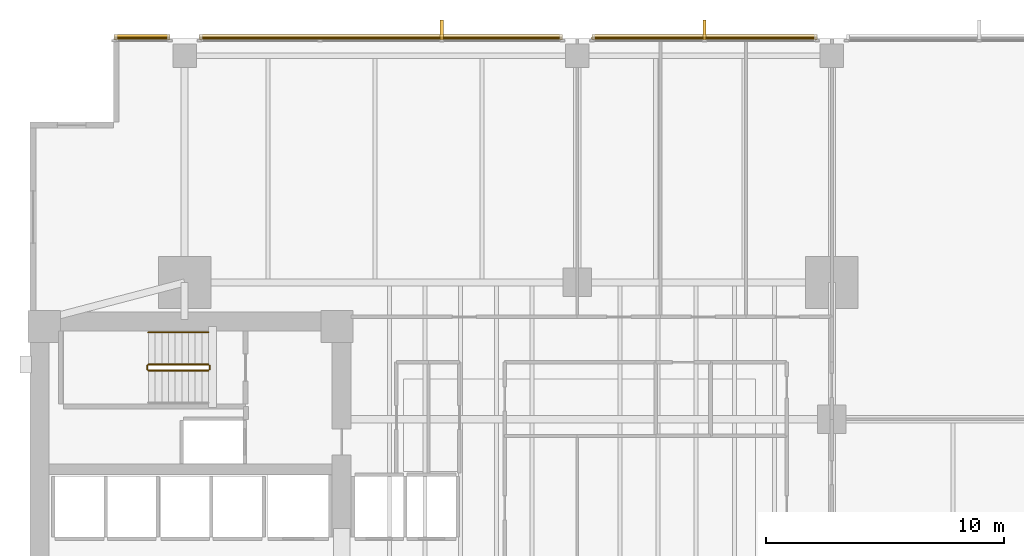
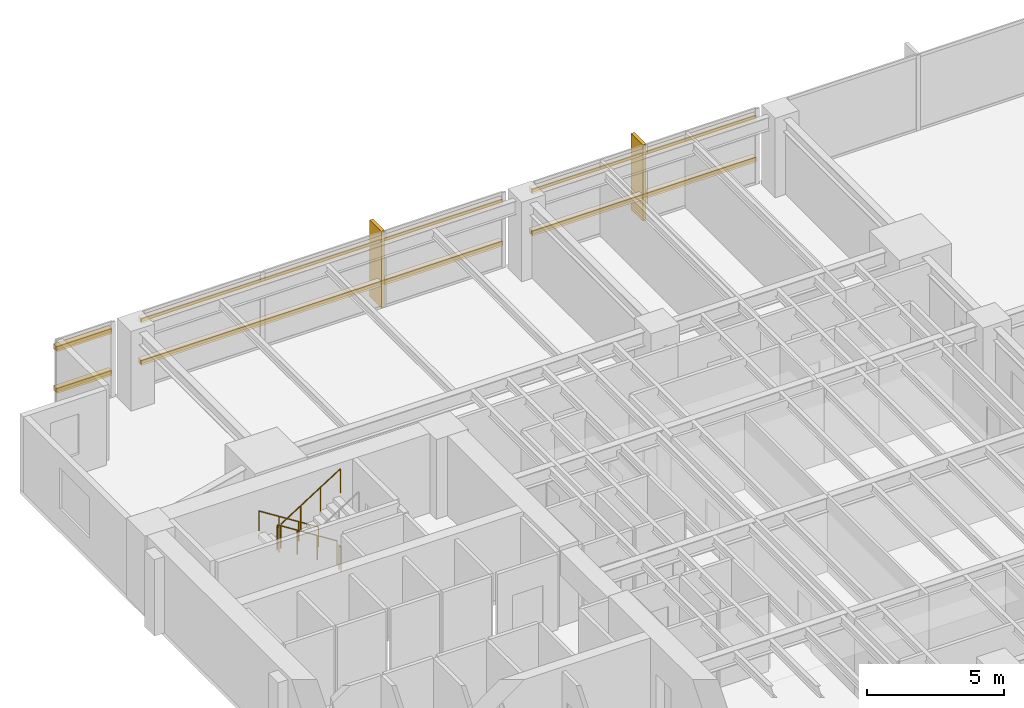
# One storey, part 14 of 15: 8 coverings, 6 shading devices, 5 railings.
"""IFC4 building model written with IfcOpenShell, lengths in metres."""

import ifcopenshell
import ifcopenshell.guid

model = None  # the IFC model being written
_history = None  # IfcOwnerHistory: only IFC2X3 demands one
_inside = {}  # id of a spatial element -> (the spatial element, [elements in it])
_under = {}  # id of a project, library or spatial element -> (it, [spatial elements below it])
_declared = {}  # id of a project -> (the project, [libraries it declares])
_typed = {}  # id of a type object -> (the type object, [elements of that type])
_made_of = {}  # id of a material, layer set ... -> (it, [elements and type objects made of it])


def new_model(schema):
    """Start an empty IFC model of exactly this schema.

    Asked for "IFC4X3", IfcOpenShell would pick the latest addendum, in which some entities
    have other attributes; the version numbers below select the first issue.
    IFC2X3 requires an IfcOwnerHistory on every rooted entity: one is made here for all.
    """
    global model, _history
    if schema == "IFC4X3":
        model = ifcopenshell.file(schema_version=(4, 3, 0, 0))
    else:
        model = ifcopenshell.file(schema=schema)
    _inside.clear()
    _under.clear()
    _declared.clear()
    _typed.clear()
    _made_of.clear()
    _history = None
    if model.schema == "IFC2X3":
        org = make("IfcOrganization", Name="unknown")
        user = make(
            "IfcPersonAndOrganization",
            ThePerson=make("IfcPerson", FamilyName="unknown"),
            TheOrganization=org,
        )
        app = make(
            "IfcApplication",
            ApplicationDeveloper=org,
            Version="unknown",
            ApplicationFullName="unknown",
            ApplicationIdentifier="unknown",
        )
        _history = make(
            "IfcOwnerHistory",
            OwningUser=user,
            OwningApplication=app,
            ChangeAction="ADDED",
            CreationDate=0,
        )
    return model


def make(cls, **values):
    """One entity of the class cls with the attributes given. An attribute that is None is left unset."""
    return model.create_entity(
        cls, **{name: value for name, value in values.items() if value is not None}
    )


def rooted(cls, **values):
    """An entity with a GlobalId (a new one), such as an element, a storey or a relation."""
    return make(cls, GlobalId=ifcopenshell.guid.new(), OwnerHistory=_history, **values)


def si_unit(unit_type, name, prefix=None):
    """IfcSIUnit, for example si_unit("LENGTHUNIT", "METRE", prefix="MILLI")."""
    return make("IfcSIUnit", UnitType=unit_type, Prefix=prefix, Name=name)


def assignment(units):
    """IfcUnitAssignment: the units of a project."""
    return None if units is None else make("IfcUnitAssignment", Units=units)


def point(xyz):
    """IfcCartesianPoint."""
    return None if xyz is None else make("IfcCartesianPoint", Coordinates=xyz)


def direction(xyz):
    """IfcDirection."""
    return None if xyz is None else make("IfcDirection", DirectionRatios=xyz)


def frame(location, z_axis=None, x_axis=None):
    """IfcAxis2Placement3D, a coordinate frame: its origin and axes. An axis left out is left unset."""
    return make(
        "IfcAxis2Placement3D",
        Location=point(location),
        Axis=direction(z_axis),
        RefDirection=direction(x_axis),
    )


def frame_2d(location, x_axis=None):
    """IfcAxis2Placement2D, a coordinate frame in the plane: its origin and x axis."""
    return make(
        "IfcAxis2Placement2D", Location=point(location), RefDirection=direction(x_axis)
    )


def origin():
    """The frame at (0, 0, 0) with its axes left unset."""
    return frame((0.0, 0.0, 0.0))


def origin_2d():
    """The frame at (0, 0) in the plane with its x axis left unset."""
    return frame_2d((0.0, 0.0))


def place(relative_to, where):
    """IfcLocalPlacement: puts the frame where relative to a parent placement (None: the world)."""
    return make(
        "IfcLocalPlacement", PlacementRelTo=relative_to, RelativePlacement=where
    )


def context(
    kind, dimensions, precision=None, world=None, true_north=None, identifier=None
):
    """IfcGeometricRepresentationContext, for example the 3D "Model" context."""
    return make(
        "IfcGeometricRepresentationContext",
        ContextIdentifier=identifier,
        ContextType=kind,
        CoordinateSpaceDimension=dimensions,
        Precision=precision,
        WorldCoordinateSystem=world,
        TrueNorth=true_north,
    )


def subcontext(parent, identifier, kind, view, scale=None):
    """IfcGeometricRepresentationSubContext, for example "Body" below "Model"."""
    return make(
        "IfcGeometricRepresentationSubContext",
        ContextIdentifier=identifier,
        ContextType=kind,
        ParentContext=parent,
        TargetScale=scale,
        TargetView=view,
    )


def project(units=None, contexts=None):
    """IfcProject with its units and contexts."""
    return rooted(
        "IfcProject",
        Name="project",
        RepresentationContexts=contexts,
        UnitsInContext=assignment(units),
    )


def spatial(cls, under=None, at=None, **own):
    """A site, building, storey or space (cls), placed at a placement, below another one or the project."""
    s = rooted(cls, ObjectPlacement=at, **own)
    if under is not None:
        _under.setdefault(under.id(), (under, []))[1].append(s)
    return s


def polyline(points):
    """IfcPolyline through the points."""
    return make("IfcPolyline", Points=[point(p) for p in points])


def profile(cls, at=None, kind="AREA", **sizes):
    """A parametric profile (cls). Its sizes go by their IFC names, for example OverallWidth=200.0."""
    return make(cls, ProfileType=kind, Position=at, **sizes)


def rectangle(**sizes):
    """IfcRectangleProfileDef."""
    return profile("IfcRectangleProfileDef", **sizes)


def circle(**sizes):
    """IfcCircleProfileDef."""
    return profile("IfcCircleProfileDef", **sizes)


def outline(outer, holes=None, kind="AREA"):
    """IfcArbitraryClosedProfileDef: a profile drawn as a closed curve; with holes, ...WithVoids."""
    if holes is None:
        return make("IfcArbitraryClosedProfileDef", ProfileType=kind, OuterCurve=outer)
    return make(
        "IfcArbitraryProfileDefWithVoids",
        ProfileType=kind,
        OuterCurve=outer,
        InnerCurves=holes,
    )


def extrude(swept, where, along, depth):
    """IfcExtrudedAreaSolid: the profile swept, set in the frame where, extruded along a direction by depth."""
    return make(
        "IfcExtrudedAreaSolid",
        SweptArea=swept,
        Position=where,
        ExtrudedDirection=direction(along),
        Depth=depth,
    )


def shape(context_of_items, identifier, shape_type, items):
    """IfcShapeRepresentation: the items that make up one representation, for example the "Body"."""
    return make(
        "IfcShapeRepresentation",
        ContextOfItems=context_of_items,
        RepresentationIdentifier=identifier,
        RepresentationType=shape_type,
        Items=items,
    )


def material(Name=None, Category=None):
    """IfcMaterial."""
    return make("IfcMaterial", Name=Name, Category=Category)


def layer(
    of_material, thickness, ventilated=None, Name=None, Category=None, Priority=None
):
    """IfcMaterialLayer: one layer of a wall or slab, of a material (None: an air gap)."""
    return make(
        "IfcMaterialLayer",
        Material=of_material,
        LayerThickness=thickness,
        IsVentilated=ventilated,
        Name=Name,
        Category=Category,
        Priority=Priority,
    )


def layer_set(layers, Name=None):
    """IfcMaterialLayerSet."""
    return make("IfcMaterialLayerSet", MaterialLayers=layers, LayerSetName=Name)


def material_profile(
    of_material, cross_section, Name=None, Category=None, Priority=None
):
    """IfcMaterialProfile: a cross section and its material."""
    return make(
        "IfcMaterialProfile",
        Name=Name,
        Material=of_material,
        Profile=cross_section,
        Priority=Priority,
        Category=Category,
    )


def profile_set(profiles, Name=None, composite=None):
    """IfcMaterialProfileSet."""
    return make(
        "IfcMaterialProfileSet",
        Name=Name,
        MaterialProfiles=profiles,
        CompositeProfile=composite,
    )


def made_of(thing, what):
    """Note that an element or type object is made of a material, layer set ...; save() writes the relation."""
    if what is not None:
        _made_of.setdefault(what.id(), (what, []))[1].append(thing)
    return thing


def type_object(cls, material=None, **own):
    """A type object (cls), such as IfcWallType, which elements share."""
    return made_of(rooted(cls, **own), material)


def element(
    cls,
    number,
    at=None,
    inside=None,
    cuts=None,
    type_object=None,
    material=None,
    context=None,
    identifier="Body",
    shape_type=None,
    held_by="IfcProductDefinitionShape",
    body=None,
    shapes=None,
    **own,
):
    """One element of the class cls, such as IfcWall. Its Tag is "e" and its number.

    at: its placement. inside: the storey or other place that contains it. cuts: it is an
    opening in that element (IfcRelVoidsElement). A single representation is given by context,
    identifier, shape_type and body (its items); several are given by shapes. held_by: the class
    of the entity that holds the representations. save() writes the other relations.
    """
    e = rooted(cls, Tag="e%d" % number, ObjectPlacement=at, **own)
    if body is not None:
        shapes = [shape(context, identifier, shape_type, body)]
    if shapes is not None:
        e.Representation = make(held_by, Representations=shapes)
    if inside is not None:
        _inside.setdefault(inside.id(), (inside, []))[1].append(e)
    if cuts is not None:
        rooted(
            "IfcRelVoidsElement", RelatingBuildingElement=cuts, RelatedOpeningElement=e
        )
    if type_object is not None:
        _typed.setdefault(type_object.id(), (type_object, []))[1].append(e)
    return made_of(e, material)


def aggregate(whole, parts):
    """IfcRelAggregates: a whole, such as a stair, and the parts it consists of."""
    return rooted("IfcRelAggregates", RelatingObject=whole, RelatedObjects=parts)


def save(model, path):
    """Write the relations noted so far, then the file.

    IfcRelAggregates (storeys below a building ...), IfcRelContainedInSpatialStructure (elements
    in a storey), IfcRelDefinesByType, IfcRelAssociatesMaterial and IfcRelDeclares: one each for
    every whole, place, type object, material and project.
    """
    for whole, parts in _under.values():
        aggregate(whole, parts)
    for where, things in _inside.values():
        rooted(
            "IfcRelContainedInSpatialStructure",
            RelatedElements=things,
            RelatingStructure=where,
        )
    for kind, things in _typed.values():
        rooted("IfcRelDefinesByType", RelatedObjects=things, RelatingType=kind)
    for what, things in _made_of.values():
        rooted("IfcRelAssociatesMaterial", RelatedObjects=things, RelatingMaterial=what)
    for by, libraries in _declared.values():
        rooted("IfcRelDeclares", RelatingContext=by, RelatedDefinitions=libraries)
    model.write(path)


model = new_model("IFC4")

# Units and contexts
model_context = context("Model", 3, precision=1e-05, world=origin(), true_north=direction((0.0, 1.0)))
body_context = subcontext(model_context, "Body", "Model", "MODEL_VIEW")
ifc_project = project(units=[si_unit("LENGTHUNIT", "METRE"), si_unit("AREAUNIT", "SQUARE_METRE"), si_unit("VOLUMEUNIT", "CUBIC_METRE"), si_unit("PLANEANGLEUNIT", "RADIAN"), si_unit("MASSUNIT", "GRAM", prefix="KILO")], contexts=[model_context])

# Site, building, storey
site_placement = place(None, origin())
site = spatial("IfcSite", under=ifc_project, at=site_placement, CompositionType="ELEMENT")
building_placement = place(site_placement, origin())
building = spatial("IfcBuilding", under=site, at=building_placement, Name="Kinhvarn Gate Tower", CompositionType="ELEMENT")
storey_placement = place(building_placement, frame((0.0, 0.0, 78.85009765625)))
storey = spatial("IfcBuildingStorey", under=building, at=storey_placement, Name="L20", CompositionType="ELEMENT", Elevation=78.85009765625)

# Coverings
ifc_material_1 = material(Name="Fired architectural terracotta", Category="masonry")
ifc_layer_1 = layer(ifc_material_1, 0.239990234375)
ifc_layer_set_1 = layer_set([ifc_layer_1], Name="Fired architectural terracotta")
covering_type_1 = type_object("IfcCoveringType", Name="COV-BAG-220", PredefinedType="CLADDING", material=ifc_layer_set_1)
for number, where, name in (
    (1, (0.0, 0.0, 0.93994140625), "Terracotta Horizontal Sunscreen Band TBG-220 (L20)"),
    (2, (0.0, 0.0, 2.809814453125), "Terracotta Horizontal Sunscreen Band TBG-220 (L20)"),
):
    element("IfcCovering", number, at=place(storey_placement, frame(where)), inside=storey, type_object=covering_type_1, Name=name, PredefinedType="CLADDING", context=body_context, shape_type="SweptSolid", body=[
        extrude(outline(polyline([(37.580078125, 47.93994140625), (28.1201171875, 47.93994140625), (28.1201171875, 48.179931640625), (37.580078125, 48.179931640625), (37.580078125, 47.93994140625)])), origin(), (0.0, 0.0, 1.0), 0.219970703125),
    ])
for number, where, name in (
    (3, (0.0, 0.0, 0.93994140625), "Terracotta Horizontal Sunscreen Band TBG-220 (L20)"),
    (4, (0.0, 0.0, 2.809814453125), "Terracotta Horizontal Sunscreen Band TBG-220 (L20)"),
):
    element("IfcCovering", number, at=place(storey_placement, frame(where)), inside=storey, type_object=covering_type_1, Name=name, PredefinedType="CLADDING", context=body_context, shape_type="SweptSolid", body=[
        extrude(outline(polyline([(26.8798828125, 47.93994140625), (11.6201171875, 47.93994140625), (11.6201171875, 48.179931640625), (26.8798828125, 48.179931640625), (26.8798828125, 47.93994140625)])), origin(), (0.0, 0.0, 1.0), 0.219970703125),
    ])
for number, where, name in (
    (5, (0.0, 0.0, 0.93994140625), "Terracotta Horizontal Sunscreen Band TBG-220 (L20)"),
    (6, (0.0, 0.0, 2.809814453125), "Terracotta Horizontal Sunscreen Band TBG-220 (L20)"),
):
    element("IfcCovering", number, at=place(storey_placement, frame(where)), inside=storey, type_object=covering_type_1, Name=name, PredefinedType="CLADDING", context=body_context, shape_type="SweptSolid", body=[
        extrude(outline(polyline([(10.3798828125, 47.93994140625), (8.0400390625, 47.93994140625), (8.0400390625, 48.179931640625), (10.3798828125, 48.179931640625), (10.3798828125, 47.93994140625)])), origin(), (0.0, 0.0, 1.0), 0.219970703125),
    ])
ifc_layer_2 = layer(ifc_material_1, 0.139892578125)
ifc_layer_set_2 = layer_set([ifc_layer_2], Name="Fired architectural terracotta")
covering_type_2 = type_object("IfcCoveringType", Name="COV-FIN-850", PredefinedType="CLADDING", material=ifc_layer_set_2)
covering_1_placement = place(storey_placement, frame((0.0, 0.0, -0.02001953125)))
element("IfcCovering", 7, at=covering_1_placement, inside=storey, type_object=covering_type_2, Name="Vertical Terracotta Expressive Fin TFN-850 (L20)", PredefinedType="CLADDING", context=body_context, shape_type="SweptSolid", body=[
    extrude(outline(polyline([(32.919921875, 47.929931640625), (32.780029296875, 47.929931640625), (32.780029296875, 48.780029296875), (32.919921875, 48.780029296875), (32.919921875, 47.929931640625)])), origin(), (0.0, 0.0, 1.0), 3.409912109375),
])
covering_2_placement = place(storey_placement, frame((0.0, 0.0, -0.02001953125)))
element("IfcCovering", 8, at=covering_2_placement, inside=storey, type_object=covering_type_2, Name="Vertical Terracotta Expressive Fin TFN-850 (L20)", PredefinedType="CLADDING", context=body_context, shape_type="SweptSolid", body=[
    extrude(outline(polyline([(21.876708984375, 47.929931640625), (21.73681640625, 47.929931640625), (21.73681640625, 48.780029296875), (21.876708984375, 48.780029296875), (21.876708984375, 47.929931640625)])), origin(), (0.0, 0.0, 1.0), 3.409912109375),
])

# Railings
ifc_material_2 = material(Name="Steel S355", Category="steel")
railing_type_1 = type_object("IfcRailingType", Name="RL-ST-GRD", PredefinedType="BALUSTRADE", material=ifc_material_2)
railing_1_placement = place(storey_placement, frame((12.0, 34.300048828125, 0.177490234375)))
element("IfcRailing", 9, at=railing_1_placement, inside=storey, type_object=railing_type_1, Name="L20 ST2 stair guard 1", PredefinedType="BALUSTRADE", context=body_context, shape_type="SweptSolid", body=[
    extrude(circle(Radius=0.02392578125, at=origin_2d()), frame((0.0, 0.0, 1.076171875), z_axis=(-0.84460694969, 0.0, 0.535386869969), x_axis=(0.0, -1.0, 0.0)), (0.0, 0.0, 1.0), 2.983642578125),
    extrude(circle(Radius=0.02099609375, at=origin_2d()), origin(), (0.0, 0.0, 1.0), 1.052001953125),
    extrude(circle(Radius=0.02099609375, at=origin_2d()), frame((-0.840087890625, 0.0, 0.532470703125)), (0.0, 0.0, 1.0), 1.052001953125),
    extrude(circle(Radius=0.02099609375, at=origin_2d()), frame((-1.679931640625, 0.0, 1.06494140625)), (0.0, 0.0, 1.0), 1.052001953125),
    extrude(circle(Radius=0.02099609375, at=origin_2d()), frame((-2.52001953125, 0.0, 1.597412109375)), (0.0, 0.0, 1.0), 1.052001953125),
])
railing_2_placement = place(storey_placement, frame((9.429931640625, 34.25, 1.77490234375)))
element("IfcRailing", 10, at=railing_2_placement, inside=storey, type_object=railing_type_1, Name="L20 ST2 stair guard 2", PredefinedType="BALUSTRADE", context=body_context, shape_type="SweptSolid", body=[
    extrude(circle(Radius=0.02392578125, at=origin_2d()), frame((0.0, 0.0, 1.076171875), z_axis=(0.0, -1.0, 0.0), x_axis=(1.0, 0.0, 0.0)), (0.0, 0.0, 1.0), 0.14990234375),
    extrude(circle(Radius=0.02099609375, at=origin_2d()), origin(), (0.0, 0.0, 1.0), 1.052001953125),
    extrude(circle(Radius=0.02099609375, at=origin_2d()), frame((0.0, -0.14990234375, 0.0)), (0.0, 0.0, 1.0), 1.052001953125),
])
railing_3_placement = place(storey_placement, frame((9.47998046875, 34.050048828125, 1.952392578125)))
element("IfcRailing", 11, at=railing_3_placement, inside=storey, type_object=railing_type_1, Name="L20 ST2 stair guard 3", PredefinedType="BALUSTRADE", context=body_context, shape_type="SweptSolid", body=[
    extrude(circle(Radius=0.02392578125, at=origin_2d()), frame((0.0, 0.0, 1.076171875), z_axis=(0.84460694969, 0.0, 0.535386869969), x_axis=(0.0, 1.0, 0.0)), (0.0, 0.0, 1.0), 2.983642578125),
    extrude(circle(Radius=0.02099609375, at=origin_2d()), origin(), (0.0, 0.0, 1.0), 1.052001953125),
    extrude(circle(Radius=0.02099609375, at=origin_2d()), frame((0.840087890625, 0.0, 0.532470703125)), (0.0, 0.0, 1.0), 1.052001953125),
    extrude(circle(Radius=0.02099609375, at=origin_2d()), frame((1.679931640625, 0.0, 1.06494140625)), (0.0, 0.0, 1.0), 1.052001953125),
    extrude(circle(Radius=0.02099609375, at=origin_2d()), frame((2.52001953125, 0.0, 1.597412109375)), (0.0, 0.0, 1.0), 1.052001953125),
])
railing_4_placement = place(storey_placement, frame((12.050048828125, 34.25, 0.0)))
element("IfcRailing", 12, at=railing_4_placement, inside=storey, type_object=railing_type_1, Name="L20 ST2 stair guard 4", PredefinedType="BALUSTRADE", context=body_context, shape_type="SweptSolid", body=[
    extrude(circle(Radius=0.02392578125, at=origin_2d()), frame((0.0, 0.0, 1.076171875), z_axis=(0.0, -1.0, 0.0), x_axis=(1.0, 0.0, 0.0)), (0.0, 0.0, 1.0), 0.14990234375),
    extrude(circle(Radius=0.02099609375, at=origin_2d()), origin(), (0.0, 0.0, 1.0), 1.052001953125),
    extrude(circle(Radius=0.02099609375, at=origin_2d()), frame((0.0, -0.14990234375, 0.0)), (0.0, 0.0, 1.0), 1.052001953125),
])
railing_type_2 = type_object("IfcRailingType", Name="RL-ST-HND", PredefinedType="HANDRAIL", material=ifc_material_2)
railing_5_placement = place(storey_placement, frame((12.0, 35.64990234375, 0.177490234375)))
element("IfcRailing", 13, at=railing_5_placement, inside=storey, type_object=railing_type_2, Name="L20 ST2 stair handrail 1", PredefinedType="HANDRAIL", context=body_context, shape_type="SweptSolid", body=[
    extrude(circle(Radius=0.02392578125, at=origin_2d()), frame((0.0, 0.0, 0.8759765625), z_axis=(-0.84460694969, 0.0, 0.535386869969), x_axis=(0.0, -1.0, 0.0)), (0.0, 0.0, 1.0), 2.983642578125),
    extrude(circle(Radius=0.02099609375, at=origin_2d()), origin(), (0.0, 0.0, 1.0), 0.851806640625),
    extrude(circle(Radius=0.02099609375, at=origin_2d()), frame((-0.840087890625, 0.0, 0.532470703125)), (0.0, 0.0, 1.0), 0.851806640625),
    extrude(circle(Radius=0.02099609375, at=origin_2d()), frame((-1.679931640625, 0.0, 1.06494140625)), (0.0, 0.0, 1.0), 0.851806640625),
    extrude(circle(Radius=0.02099609375, at=origin_2d()), frame((-2.52001953125, 0.0, 1.597412109375)), (0.0, 0.0, 1.0), 0.851806640625),
])

# Shading devices
ifc_material_profile = material_profile(ifc_material_1, rectangle(XDim=0.06005859375, YDim=0.139892578125, at=origin_2d()), Name="TC 60x140")
ifc_profile_set = profile_set([ifc_material_profile], Name="Fired architectural terracotta")
shading_device_type = type_object("IfcShadingDeviceType", Name="SHD-BAG-180", PredefinedType="USERDEFINED", material=ifc_profile_set)
for number, where, z_axis, x_axis, name in (
    (14, (37.580078125, 48.014892578125, 1.0498046875), (-1.0, 0.0, 0.0), (0.0, -1.0, 0.0), "Fired Terracotta Baguette Screen Rod 60x140 mm (L20)"),
    (15, (37.580078125, 48.014892578125, 2.919921875), (-1.0, 0.0, 0.0), (0.0, -1.0, 0.0), "Fired Terracotta Baguette Screen Rod 60x140 mm (L20)"),
):
    element("IfcShadingDevice", number, at=place(storey_placement, frame(where, z_axis=z_axis, x_axis=x_axis)), inside=storey, type_object=shading_device_type, Name=name, ObjectType="BAGUETTE", PredefinedType="USERDEFINED", context=body_context, shape_type="SweptSolid", body=[
        extrude(rectangle(XDim=0.06005859375, YDim=0.139892578125, at=origin_2d()), origin(), (0.0, 0.0, 1.0), 9.4599609375),
    ])
for number, where, z_axis, x_axis, name in (
    (16, (26.8798828125, 48.014892578125, 1.0498046875), (-1.0, 0.0, 0.0), (0.0, -1.0, 0.0), "Fired Terracotta Baguette Screen Rod 60x140 mm (L20)"),
    (17, (26.8798828125, 48.014892578125, 2.919921875), (-1.0, 0.0, 0.0), (0.0, -1.0, 0.0), "Fired Terracotta Baguette Screen Rod 60x140 mm (L20)"),
):
    element("IfcShadingDevice", number, at=place(storey_placement, frame(where, z_axis=z_axis, x_axis=x_axis)), inside=storey, type_object=shading_device_type, Name=name, ObjectType="BAGUETTE", PredefinedType="USERDEFINED", context=body_context, shape_type="SweptSolid", body=[
        extrude(rectangle(XDim=0.06005859375, YDim=0.139892578125, at=origin_2d()), origin(), (0.0, 0.0, 1.0), 15.259765625),
    ])
for number, where, z_axis, x_axis, name in (
    (18, (10.3798828125, 48.014892578125, 1.0498046875), (-1.0, 0.0, 0.0), (0.0, -1.0, 0.0), "Fired Terracotta Baguette Screen Rod 60x140 mm (L20)"),
    (19, (10.3798828125, 48.014892578125, 2.919921875), (-1.0, 0.0, 0.0), (0.0, -1.0, 0.0), "Fired Terracotta Baguette Screen Rod 60x140 mm (L20)"),
):
    element("IfcShadingDevice", number, at=place(storey_placement, frame(where, z_axis=z_axis, x_axis=x_axis)), inside=storey, type_object=shading_device_type, Name=name, ObjectType="BAGUETTE", PredefinedType="USERDEFINED", context=body_context, shape_type="SweptSolid", body=[
        extrude(rectangle(XDim=0.06005859375, YDim=0.139892578125, at=origin_2d()), origin(), (0.0, 0.0, 1.0), 2.33984375),
    ])

save(model, "model.ifc")
